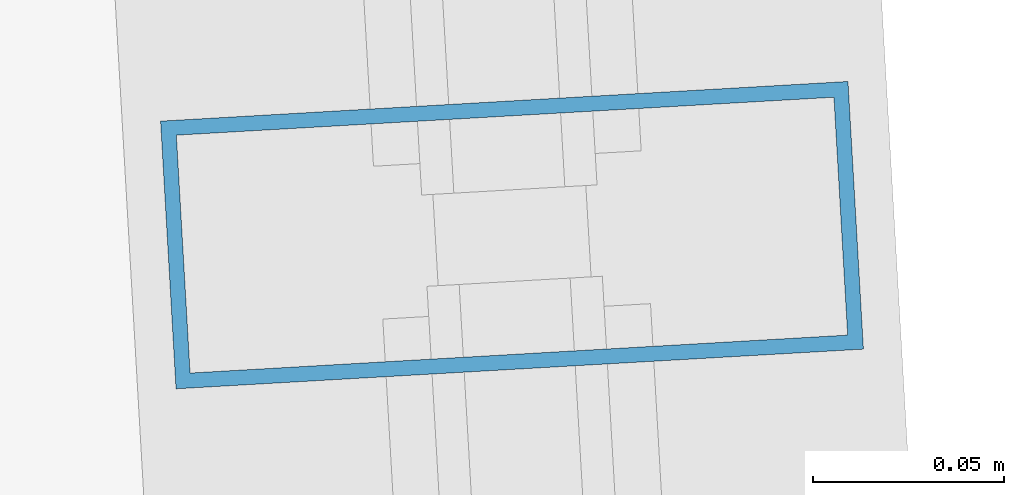
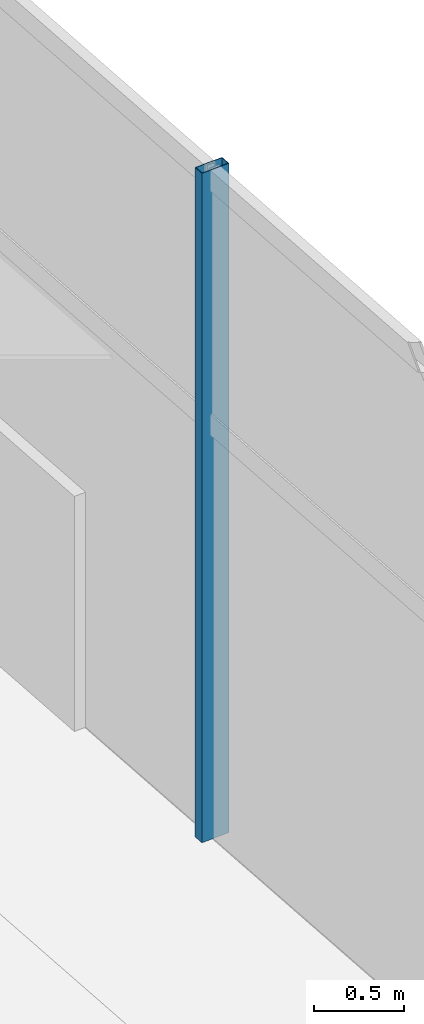
# One storey, part 75 of 186: 1 member, 1 element without a shape of its own.
"""IFC4 building model written with IfcOpenShell, lengths in metres."""

from ifc_helpers import new_model, si_unit, direction, frame, origin, origin_2d, place, context, subcontext, project, spatial, hollow_rectangle, extrude, material, layer, layer_set, material_profile, profile_set, type_object, element, aggregate, save


model = new_model("IFC4")

# Units and contexts
model_context = context("Model", 3, precision=1e-05, world=origin(), true_north=direction((0.0, 1.0)))
body_context = subcontext(model_context, "Body", "Model", "MODEL_VIEW")
ifc_project = project(units=[si_unit("LENGTHUNIT", "METRE"), si_unit("AREAUNIT", "SQUARE_METRE"), si_unit("VOLUMEUNIT", "CUBIC_METRE"), si_unit("PLANEANGLEUNIT", "RADIAN"), si_unit("MASSUNIT", "GRAM", prefix="KILO")], contexts=[model_context])

# Site, building, storey
site_placement = place(None, origin())
site = spatial("IfcSite", under=ifc_project, at=site_placement, CompositionType="ELEMENT")
building_placement = place(site_placement, origin())
building = spatial("IfcBuilding", under=site, at=building_placement, Name="Kazemori Nagisa Stadium", CompositionType="ELEMENT")
storey_placement = place(building_placement, frame((0.0, 0.0, 20.39990234375)))
storey = spatial("IfcBuildingStorey", under=building, at=storey_placement, Name="L04", CompositionType="ELEMENT", Elevation=20.39990234375)

# Curtain wall, member
ifc_material_1 = material(Name="Anodised aluminium 6063-T5", Category="aluminium")
ifc_layer = layer(ifc_material_1, 0.179931640625, Name="Anodised aluminium 6063-T5", Category="aluminium")
ifc_layer_set = layer_set([ifc_layer], Name="Anodised aluminium 6063-T5")
curtain_wall_type = type_object("IfcCurtainWallType", Name="CW_L04R3_95", PredefinedType="USERDEFINED", material=ifc_layer_set)
curtain_wall_placement = place(storey_placement, origin())
curtain_wall = element("IfcCurtainWall", 1, at=curtain_wall_placement, inside=storey, type_object=curtain_wall_type, Name="Unitised curtain wall CW-L04R3-95 L04", ObjectType="UNITISED CURTAIN WALL", PredefinedType="USERDEFINED")
ifc_material_2 = material(Name="Aluminium 6063-T5 anodised", Category="aluminium")
ifc_material_profile = material_profile(ifc_material_2, hollow_rectangle(XDim=0.070068359375, YDim=0.179931640625, WallThickness=0.00390625, at=origin_2d()), Name="ALU-MULL-70x180x4")
ifc_profile_set = profile_set([ifc_material_profile], Name="Aluminium 6063-T5 anodised")
member_type = type_object("IfcMemberType", Name="Mullion_M01", PredefinedType="MULLION", material=ifc_profile_set)
member_placement = place(storey_placement, frame((217.6220703125, 108.55078125, 0.0), z_axis=(0.0, 0.0, 1.0), x_axis=(-0.057601670941, 0.998339645364, 0.0)))
member = element("IfcMember", 2, at=member_placement, type_object=member_type, Name="Curtain wall mullion CW-L04R3-95-M2", PredefinedType="MULLION", context=body_context, shape_type="SweptSolid", body=[
    extrude(hollow_rectangle(XDim=0.070068359375, YDim=0.179931640625, WallThickness=0.00390625, at=origin_2d()), origin(), (0.0, 0.0, 1.0), 4.530029296875),
])
aggregate(curtain_wall, [member])

save(model, "model.ifc")
